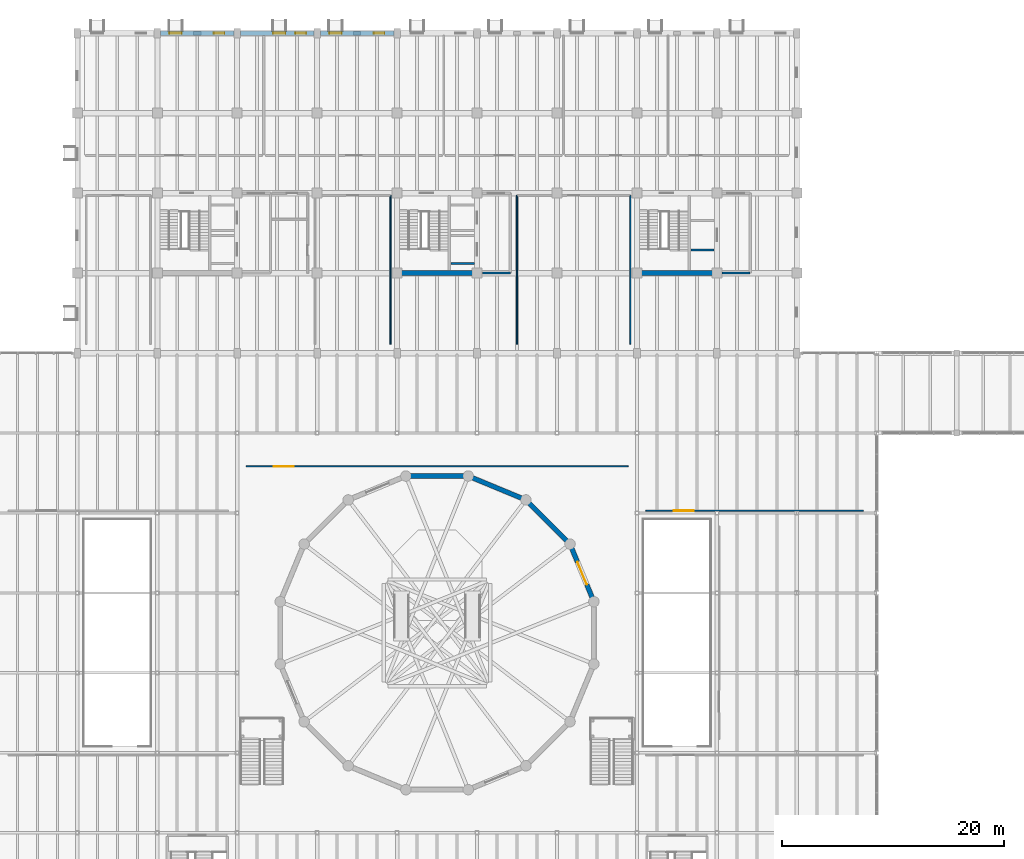
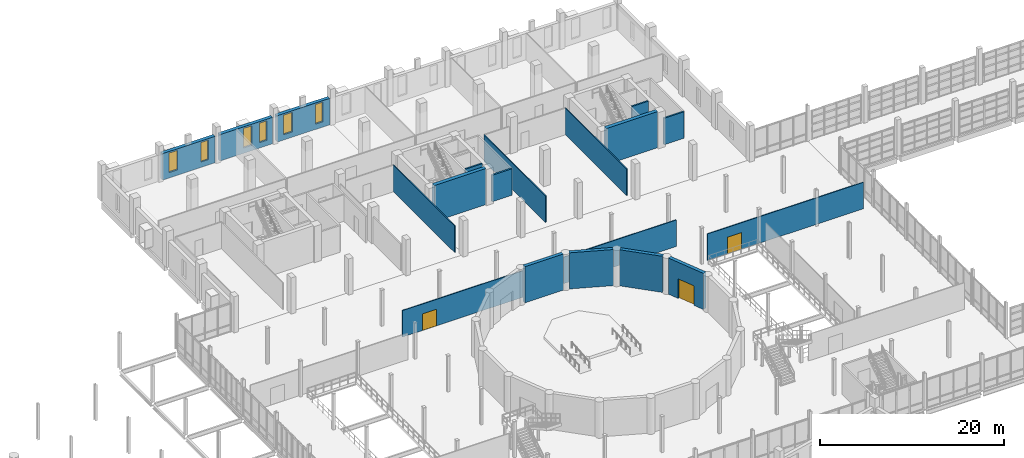
# One storey, part 66 of 77: 18 walls, 6 windows, 3 doors, 9 openings.
"""IFC4 building model written with IfcOpenShell, lengths in metres."""

from ifc_helpers import new_model, si_unit, direction, frame, frame_2d, origin, place, context, subcontext, project, spatial, rectangle, extrude, material, layer, layer_set, type_object, element, fill, save


model = new_model("IFC4")

# Units and contexts
model_context = context("Model", 3, precision=1e-05, world=origin(), true_north=direction((0.0, 1.0)))
body_context = subcontext(model_context, "Body", "Model", "MODEL_VIEW")
ifc_project = project(units=[si_unit("LENGTHUNIT", "METRE"), si_unit("AREAUNIT", "SQUARE_METRE"), si_unit("VOLUMEUNIT", "CUBIC_METRE"), si_unit("PLANEANGLEUNIT", "RADIAN"), si_unit("MASSUNIT", "GRAM", prefix="KILO")], contexts=[model_context])

# Site, building, storey
site_placement = place(None, origin())
site = spatial("IfcSite", under=ifc_project, at=site_placement, CompositionType="ELEMENT")
building_placement = place(site_placement, origin())
building = spatial("IfcBuilding", under=site, at=building_placement, Name="Qiaolan Assembly House", CompositionType="ELEMENT")
storey_placement = place(building_placement, frame((0.0, 0.0, 5.39990234375)))
storey = spatial("IfcBuildingStorey", under=building, at=storey_placement, Name="L01", CompositionType="ELEMENT", Elevation=5.39990234375)

# Walls
ifc_material_1 = material(Name="Concrete C50/60", Category="concrete")
ifc_layer_1 = layer(ifc_material_1, 0.449951171875)
ifc_layer_set_1 = layer_set([ifc_layer_1], Name="Concrete C50/60")
wall_type_1 = type_object("IfcWallType", Name="WAL-CORE-450", PredefinedType="SHEAR", material=ifc_layer_set_1)
for number, where, z_axis, x_axis, name in (
    (1, (65.14990234375, 93.60009765625, 0.0), (0.0, 0.0, 1.0), (1.0, 0.0, 0.0), "CW-450 shear core wall CORE-B S L01"),
    (2, (86.75, 93.60009765625, 0.0), (0.0, 0.0, 1.0), (1.0, 0.0, 0.0), "CW-450 shear core wall CORE-G S L01"),
):
    element("IfcWall", number, at=place(storey_placement, frame(where, z_axis=z_axis, x_axis=x_axis)), inside=storey, type_object=wall_type_1, Name=name, PredefinedType="SHEAR", context=body_context, shape_type="SweptSolid", body=[
        extrude(rectangle(XDim=6.5, YDim=0.449951171875, at=frame_2d((3.25, 0.0))), origin(), (0.0, 0.0, 1.0), 4.800048828125),
    ])

# Wall, opening, door
ifc_layer_2 = layer(ifc_material_1, 0.419921875)
ifc_layer_set_2 = layer_set([ifc_layer_2], Name="Concrete C50/60")
wall_type_2 = type_object("IfcWallType", Name="WAL-DRUM-420", PredefinedType="SHEAR", material=ifc_layer_set_2)
wall_1_placement = place(storey_placement, frame((80.526123046875, 68.83056640625, 0.0), z_axis=(0.0, 0.0, 1.0), x_axis=(0.382693375129, -0.923875414021, 0.0)))
wall_1 = element("IfcWall", 3, at=wall_1_placement, inside=storey, type_object=wall_type_2, Name="DW-420 council chamber drum wall 1 L01", PredefinedType="SHEAR", context=body_context, shape_type="SweptSolid", body=[
    extrude(rectangle(XDim=4.818359375, YDim=0.419921875, at=frame_2d((2.4091796875, 0.0))), origin(), (0.0, 0.0, 1.0), 4.800048828125),
])
opening_1_placement = place(wall_1_placement, frame((1.35009765625, 0.0, 0.0)))
opening_1 = element("IfcOpeningElement", 4, at=opening_1_placement, cuts=wall_1, Name="Opening CD-143", PredefinedType="OPENING", context=body_context, shape_type="SweptSolid", body=[
    extrude(rectangle(XDim=2.199951171875, YDim=2.60009765625, at=frame_2d((1.10009765625, 1.300048828125))), frame((0.0, 0.219970703125, 0.0), z_axis=(0.0, -1.0, 0.0), x_axis=(1.0, 0.0, 0.0)), (0.0, 0.0, 1.0), 0.43994140625),
])
ifc_material_2 = material(Name="Acoustic oak panelling")
door_type_1 = type_object("IfcDoorType", Name="DOR-CHAMBER-2200", OperationType="DOUBLE_DOOR_SINGLE_SWING", PredefinedType="DOOR", material=ifc_material_2)
door_1_placement = place(opening_1_placement, origin())
door_1 = element("IfcDoor", 5, at=door_1_placement, inside=storey, type_object=door_type_1, Name="Council Chamber ceremonial acoustic door CD-143", OperationType="DOUBLE_DOOR_SINGLE_SWING", OverallHeight=2.60009765625, OverallWidth=2.199951171875, PredefinedType="DOOR", context=body_context, shape_type="SweptSolid", body=[
    extrude(rectangle(XDim=2.199951171875, YDim=2.60009765625, at=frame_2d((1.10009765625, 1.300048828125))), frame((0.0, 0.02490234375, 0.0), z_axis=(0.0, -1.0, 0.0), x_axis=(1.0, 0.0, 0.0)), (0.0, 0.0, 1.0), 0.050048828125),
])
fill(opening_1, door_1)

# Walls
for number, where, z_axis, x_axis, name in (
    (6, (76.68310546875, 72.890380859375, 0.0), (0.0, 0.0, 1.0), (0.707106781187, -0.707106781187, 0.0), "DW-420 council chamber drum wall 2 L01"),
    (7, (71.578857421875, 75.170166015625, 0.0), (0.0, 0.0, 1.0), (0.923882834003, -0.382675461762, 0.0), "DW-420 council chamber drum wall 3 L01"),
    (8, (65.99072265625, 75.3232421875, 0.0), (0.0, 0.0, 1.0), (1.0, 0.0, 0.0), "DW-420 council chamber drum wall 4 L01"),
):
    element("IfcWall", number, at=place(storey_placement, frame(where, z_axis=z_axis, x_axis=x_axis)), inside=storey, type_object=wall_type_2, Name=name, PredefinedType="SHEAR", context=body_context, shape_type="SweptSolid", body=[
        extrude(rectangle(XDim=4.818603515625, YDim=0.419921875, at=frame_2d((2.4091796875, 0.0))), origin(), (0.0, 0.0, 1.0), 4.800048828125),
    ])

# Wall, openings, windows
ifc_material_3 = material(Name="Honed pale limestone", Category="masonry")
ifc_layer_3 = layer(ifc_material_3, 0.43505859375)
ifc_layer_set_3 = layer_set([ifc_layer_3], Name="Honed pale limestone")
wall_type_3 = type_object("IfcWallType", Name="WAL-EXT-RUSTIC-420", PredefinedType="SOLIDWALL", material=ifc_layer_set_3)
wall_2_placement = place(storey_placement, frame((50.10205078125, 115.199951171875, 0.0), z_axis=(0.0, 0.0, 1.0), x_axis=(-1.0, 0.0, 0.0)))
wall_2 = element("IfcWall", 9, at=wall_2_placement, inside=storey, type_object=wall_type_3, Name="EW-420 NW North street wall L01 bay 2", PredefinedType="SOLIDWALL", context=body_context, shape_type="SweptSolid", body=[
    extrude(rectangle(XDim=6.60400390625, YDim=0.43505859375, at=frame_2d((3.302001953125, 0.0))), origin(), (0.0, 0.0, 1.0), 3.5),
])
opening_2_placement = place(wall_2_placement, frame((0.85205078125, 0.0, 0.699951171875)))
opening_2 = element("IfcOpeningElement", 10, at=opening_2_placement, cuts=wall_2, Name="Opening WN-018", PredefinedType="OPENING", context=body_context, shape_type="SweptSolid", body=[
    extrude(rectangle(XDim=0.949951171875, YDim=2.60009765625, at=frame_2d((0.47509765625, 1.300048828125))), frame((0.0, 0.2275390625, 0.0), z_axis=(0.0, -1.0, 0.0), x_axis=(1.0, 0.0, 0.0)), (0.0, 0.0, 1.0), 0.455078125),
])
opening_3_placement = place(wall_2_placement, frame((4.701904296875, 0.0, 0.699951171875)))
opening_3 = element("IfcOpeningElement", 11, at=opening_3_placement, cuts=wall_2, Name="Opening WN-019", PredefinedType="OPENING", context=body_context, shape_type="SweptSolid", body=[
    extrude(rectangle(XDim=1.10009765625, YDim=2.60009765625, at=frame_2d((0.550048828125, 1.300048828125))), frame((0.0, 0.2275390625, 0.0), z_axis=(0.0, -1.0, 0.0), x_axis=(1.0, 0.0, 0.0)), (0.0, 0.0, 1.0), 0.455078125),
])
ifc_material_4 = material(Name="Low-E double insulating glass", Category="glass")
window_type_1 = type_object("IfcWindowType", Name="WIN-BOX-1100x2600", PartitioningType="SINGLE_PANEL", PredefinedType="WINDOW", material=ifc_material_4)
window_1_placement = place(opening_3_placement, origin())
window_1 = element("IfcWindow", 12, at=window_1_placement, inside=storey, type_object=window_type_1, Name="WN-T02 window WN-019", OverallHeight=2.60009765625, OverallWidth=1.10009765625, PartitioningType="SINGLE_PANEL", PredefinedType="WINDOW", context=body_context, shape_type="SweptSolid", body=[
    extrude(rectangle(XDim=1.10009765625, YDim=2.60009765625, at=frame_2d((0.550048828125, 1.300048828125))), frame((0.0, 0.030029296875, 0.0), z_axis=(0.0, -1.0, 0.0), x_axis=(1.0, 0.0, 0.0)), (0.0, 0.0, 1.0), 0.06005859375),
])
fill(opening_3, window_1)
window_type_2 = type_object("IfcWindowType", Name="WIN-PUNCH-950x2600", PartitioningType="SINGLE_PANEL", PredefinedType="WINDOW", material=ifc_material_4)
window_2_placement = place(opening_2_placement, origin())
window_2 = element("IfcWindow", 13, at=window_2_placement, inside=storey, type_object=window_type_2, Name="WN-T03 window WN-018", OverallHeight=2.60009765625, OverallWidth=0.949951171875, PartitioningType="SINGLE_PANEL", PredefinedType="WINDOW", context=body_context, shape_type="SweptSolid", body=[
    extrude(rectangle(XDim=0.949951171875, YDim=2.60009765625, at=frame_2d((0.47509765625, 1.300048828125))), frame((0.0, 0.030029296875, 0.0), z_axis=(0.0, -1.0, 0.0), x_axis=(1.0, 0.0, 0.0)), (0.0, 0.0, 1.0), 0.06005859375),
])
fill(opening_2, window_2)

wall_3_placement = place(storey_placement, frame((57.302001953125, 115.199951171875, 0.0), z_axis=(0.0, 0.0, 1.0), x_axis=(-1.0, 0.0, 0.0)))
wall_3 = element("IfcWall", 14, at=wall_3_placement, inside=storey, type_object=wall_type_3, Name="EW-420 NW North street wall L01 bay 3", PredefinedType="SOLIDWALL", context=body_context, shape_type="SweptSolid", body=[
    extrude(rectangle(XDim=6.60400390625, YDim=0.43505859375, at=frame_2d((3.302001953125, 0.0))), origin(), (0.0, 0.0, 1.0), 3.5),
])
opening_4_placement = place(wall_3_placement, frame((0.701904296875, 0.0, 0.699951171875)))
opening_4 = element("IfcOpeningElement", 15, at=opening_4_placement, cuts=wall_3, Name="Opening WN-020", PredefinedType="OPENING", context=body_context, shape_type="SweptSolid", body=[
    extrude(rectangle(XDim=0.949951171875, YDim=2.60009765625, at=frame_2d((0.47509765625, 1.300048828125))), frame((0.0, 0.2275390625, 0.0), z_axis=(0.0, -1.0, 0.0), x_axis=(1.0, 0.0, 0.0)), (0.0, 0.0, 1.0), 0.455078125),
])
opening_5_placement = place(wall_3_placement, frame((2.569091796875, 0.0, 0.699951171875)))
opening_5 = element("IfcOpeningElement", 16, at=opening_5_placement, cuts=wall_3, Name="Opening WN-021", PredefinedType="OPENING", context=body_context, shape_type="SweptSolid", body=[
    extrude(rectangle(XDim=1.10009765625, YDim=2.60009765625, at=frame_2d((0.550048828125, 1.300048828125))), frame((0.0, 0.2275390625, 0.0), z_axis=(0.0, -1.0, 0.0), x_axis=(1.0, 0.0, 0.0)), (0.0, 0.0, 1.0), 0.455078125),
])
window_3_placement = place(opening_5_placement, origin())
window_3 = element("IfcWindow", 17, at=window_3_placement, inside=storey, type_object=window_type_1, Name="WN-T02 window WN-021", OverallHeight=2.60009765625, OverallWidth=1.10009765625, PartitioningType="SINGLE_PANEL", PredefinedType="WINDOW", context=body_context, shape_type="SweptSolid", body=[
    extrude(rectangle(XDim=1.10009765625, YDim=2.60009765625, at=frame_2d((0.550048828125, 1.300048828125))), frame((0.0, 0.030029296875, 0.0), z_axis=(0.0, -1.0, 0.0), x_axis=(1.0, 0.0, 0.0)), (0.0, 0.0, 1.0), 0.06005859375),
])
fill(opening_5, window_3)
window_4_placement = place(opening_4_placement, origin())
window_4 = element("IfcWindow", 18, at=window_4_placement, inside=storey, type_object=window_type_2, Name="WN-T03 window WN-020", OverallHeight=2.60009765625, OverallWidth=0.949951171875, PartitioningType="SINGLE_PANEL", PredefinedType="WINDOW", context=body_context, shape_type="SweptSolid", body=[
    extrude(rectangle(XDim=0.949951171875, YDim=2.60009765625, at=frame_2d((0.47509765625, 1.300048828125))), frame((0.0, 0.030029296875, 0.0), z_axis=(0.0, -1.0, 0.0), x_axis=(1.0, 0.0, 0.0)), (0.0, 0.0, 1.0), 0.06005859375),
])
fill(opening_4, window_4)

wall_4_placement = place(storey_placement, frame((64.501953125, 115.199951171875, 0.0), z_axis=(0.0, 0.0, 1.0), x_axis=(-1.0, 0.0, 0.0)))
wall_4 = element("IfcWall", 19, at=wall_4_placement, inside=storey, type_object=wall_type_3, Name="EW-420 NW North street wall L01 bay 4", PredefinedType="SOLIDWALL", context=body_context, shape_type="SweptSolid", body=[
    extrude(rectangle(XDim=6.60400390625, YDim=0.43505859375, at=frame_2d((3.302001953125, 0.0))), origin(), (0.0, 0.0, 1.0), 3.5),
])
opening_6_placement = place(wall_4_placement, frame((0.85205078125, 0.0, 0.699951171875)))
opening_6 = element("IfcOpeningElement", 20, at=opening_6_placement, cuts=wall_4, Name="Opening WN-022", PredefinedType="OPENING", context=body_context, shape_type="SweptSolid", body=[
    extrude(rectangle(XDim=0.949951171875, YDim=2.60009765625, at=frame_2d((0.47509765625, 1.300048828125))), frame((0.0, 0.2275390625, 0.0), z_axis=(0.0, -1.0, 0.0), x_axis=(1.0, 0.0, 0.0)), (0.0, 0.0, 1.0), 0.455078125),
])
opening_7_placement = place(wall_4_placement, frame((4.701904296875, 0.0, 0.699951171875)))
opening_7 = element("IfcOpeningElement", 21, at=opening_7_placement, cuts=wall_4, Name="Opening WN-023", PredefinedType="OPENING", context=body_context, shape_type="SweptSolid", body=[
    extrude(rectangle(XDim=1.10009765625, YDim=2.60009765625, at=frame_2d((0.550048828125, 1.300048828125))), frame((0.0, 0.2275390625, 0.0), z_axis=(0.0, -1.0, 0.0), x_axis=(1.0, 0.0, 0.0)), (0.0, 0.0, 1.0), 0.455078125),
])
window_5_placement = place(opening_7_placement, origin())
window_5 = element("IfcWindow", 22, at=window_5_placement, inside=storey, type_object=window_type_1, Name="WN-T02 window WN-023", OverallHeight=2.60009765625, OverallWidth=1.10009765625, PartitioningType="SINGLE_PANEL", PredefinedType="WINDOW", context=body_context, shape_type="SweptSolid", body=[
    extrude(rectangle(XDim=1.10009765625, YDim=2.60009765625, at=frame_2d((0.550048828125, 1.300048828125))), frame((0.0, 0.030029296875, 0.0), z_axis=(0.0, -1.0, 0.0), x_axis=(1.0, 0.0, 0.0)), (0.0, 0.0, 1.0), 0.06005859375),
])
fill(opening_7, window_5)
window_6_placement = place(opening_6_placement, origin())
window_6 = element("IfcWindow", 23, at=window_6_placement, inside=storey, type_object=window_type_2, Name="WN-T03 window WN-022", OverallHeight=2.60009765625, OverallWidth=0.949951171875, PartitioningType="SINGLE_PANEL", PredefinedType="WINDOW", context=body_context, shape_type="SweptSolid", body=[
    extrude(rectangle(XDim=0.949951171875, YDim=2.60009765625, at=frame_2d((0.47509765625, 1.300048828125))), frame((0.0, 0.030029296875, 0.0), z_axis=(0.0, -1.0, 0.0), x_axis=(1.0, 0.0, 0.0)), (0.0, 0.0, 1.0), 0.06005859375),
])
fill(opening_6, window_6)

# Walls
ifc_material_5 = material(Name="Concrete C35/45", Category="concrete")
ifc_layer_4 = layer(ifc_material_5, 0.199951171875)
ifc_layer_set_4 = layer_set([ifc_layer_4], Name="Concrete C35/45")
wall_type_4 = type_object("IfcWallType", Name="WAL-LOBBY-200", PredefinedType="PARTITIONING", material=ifc_layer_set_4)
for number, where, z_axis, x_axis, name in (
    (24, (72.47998046875, 93.60009765625, 0.0), (0.0, 0.0, 1.0), (1.0, 0.0, 0.0), "Firefighting lift lobby south wall CORE-B L01"),
    (25, (94.080078125, 93.60009765625, 0.0), (0.0, 0.0, 1.0), (1.0, 0.0, 0.0), "Firefighting lift lobby south wall CORE-G L01"),
):
    element("IfcWall", number, at=place(storey_placement, frame(where, z_axis=z_axis, x_axis=x_axis)), inside=storey, type_object=wall_type_4, Name=name, PredefinedType="PARTITIONING", context=body_context, shape_type="SweptSolid", body=[
        extrude(rectangle(XDim=2.52001953125, YDim=0.199951171875, at=frame_2d((1.260009765625, 0.0))), origin(), (0.0, 0.0, 1.0), 3.52001953125),
    ])
ifc_material_6 = material(Name="Gypsum plasterboard partition")
ifc_layer_5 = layer(ifc_material_6, 0.1201171875)
ifc_layer_set_5 = layer_set([ifc_layer_5], Name="Gypsum plasterboard partition")
wall_type_5 = type_object("IfcWallType", Name="WAL-PART-120", PredefinedType="PARTITIONING", material=ifc_layer_set_5)
for number, where, z_axis, x_axis, name in (
    (26, (64.199951171875, 100.60009765625, 0.0), (0.0, 0.0, 1.0), (0.0, -1.0, 0.0), "Sub-Committee Caucus Room A east wall"),
    (27, (75.60009765625, 87.199951171875, 0.0), (0.0, 0.0, 1.0), (0.0, 1.0, 0.0), "Witness & Press Interview Room west wall"),
    (28, (85.800048828125, 100.60009765625, 0.0), (0.0, 0.0, 1.0), (0.0, -1.0, 0.0), "Witness & Press Interview Room east wall"),
):
    element("IfcWall", number, at=place(storey_placement, frame(where, z_axis=z_axis, x_axis=x_axis)), inside=storey, type_object=wall_type_5, Name=name, PredefinedType="PARTITIONING", context=body_context, shape_type="SweptSolid", body=[
        extrude(rectangle(XDim=13.400146484375, YDim=0.1201171875, at=frame_2d((6.7001953125, 0.0))), origin(), (0.0, 0.0, 1.0), 3.52001953125),
    ])

# Wall, opening, door
ifc_layer_6 = layer(ifc_material_4, 0.10498046875)
ifc_layer_set_6 = layer_set([ifc_layer_6], Name="Low-E double insulating glass")
wall_type_6 = type_object("IfcWallType", Name="WAL-PART-GLAZED-120", PredefinedType="PARTITIONING", material=ifc_layer_set_6)
wall_5_placement = place(storey_placement, frame((51.199951171875, 76.199951171875, 0.0), z_axis=(0.0, 0.0, 1.0), x_axis=(1.0, 0.0, 0.0)))
wall_5 = element("IfcWall", 29, at=wall_5_placement, inside=storey, type_object=wall_type_6, Name="Council Members North Caucus & Reading Salon glazed partition", PredefinedType="PARTITIONING", context=body_context, shape_type="SweptSolid", body=[
    extrude(rectangle(XDim=34.400146484375, YDim=0.10498046875, at=frame_2d((17.2001953125, 0.0))), origin(), (0.0, 0.0, 1.0), 3.52001953125),
])
opening_8_placement = place(wall_5_placement, frame((2.5, 0.0, 0.0)))
opening_8 = element("IfcOpeningElement", 30, at=opening_8_placement, cuts=wall_5, Name="Opening GD-160", PredefinedType="OPENING", context=body_context, shape_type="SweptSolid", body=[
    extrude(rectangle(XDim=1.800048828125, YDim=2.199951171875, at=frame_2d((0.89990234375, 1.10009765625))), frame((0.0, 0.0625, 0.0), z_axis=(0.0, -1.0, 0.0), x_axis=(1.0, 0.0, 0.0)), (0.0, 0.0, 1.0), 0.125),
])
ifc_material_7 = material(Name="Anodised bronze aluminium", Category="aluminium")
door_type_2 = type_object("IfcDoorType", Name="DOR-CORR-DBL-1800", OperationType="DOUBLE_DOOR_SINGLE_SWING", PredefinedType="DOOR", material=ifc_material_7)
door_2_placement = place(opening_8_placement, origin())
door_2 = element("IfcDoor", 31, at=door_2_placement, inside=storey, type_object=door_type_2, Name="Council Members North Caucus & Reading Salon door GD-160", OperationType="DOUBLE_DOOR_SINGLE_SWING", OverallHeight=2.199951171875, OverallWidth=1.800048828125, PredefinedType="DOOR", context=body_context, shape_type="SweptSolid", body=[
    extrude(rectangle(XDim=1.800048828125, YDim=2.199951171875, at=frame_2d((0.89990234375, 1.10009765625))), frame((0.0, 0.02490234375, 0.0), z_axis=(0.0, -1.0, 0.0), x_axis=(1.0, 0.0, 0.0)), (0.0, 0.0, 1.0), 0.050048828125),
])
fill(opening_8, door_2)

wall_6_placement = place(storey_placement, frame((87.199951171875, 72.199951171875, 0.0), z_axis=(0.0, 0.0, 1.0), x_axis=(1.0, 0.0, 0.0)))
wall_6 = element("IfcWall", 32, at=wall_6_placement, inside=storey, type_object=wall_type_6, Name="Civic Ceremonial Protocol Salon glazed partition", PredefinedType="PARTITIONING", context=body_context, shape_type="SweptSolid", body=[
    extrude(rectangle(XDim=19.60009765625, YDim=0.10498046875, at=frame_2d((9.800048828125, 0.0))), origin(), (0.0, 0.0, 1.0), 3.52001953125),
])
opening_9_placement = place(wall_6_placement, frame((2.5, 0.0, 0.0)))
opening_9 = element("IfcOpeningElement", 33, at=opening_9_placement, cuts=wall_6, Name="Opening GD-164", PredefinedType="OPENING", context=body_context, shape_type="SweptSolid", body=[
    extrude(rectangle(XDim=1.800048828125, YDim=2.199951171875, at=frame_2d((0.89990234375, 1.10009765625))), frame((0.0, 0.0625, 0.0), z_axis=(0.0, -1.0, 0.0), x_axis=(1.0, 0.0, 0.0)), (0.0, 0.0, 1.0), 0.125),
])
door_3_placement = place(opening_9_placement, origin())
door_3 = element("IfcDoor", 34, at=door_3_placement, inside=storey, type_object=door_type_2, Name="Civic Ceremonial Protocol Salon door GD-164", OperationType="DOUBLE_DOOR_SINGLE_SWING", OverallHeight=2.199951171875, OverallWidth=1.800048828125, PredefinedType="DOOR", context=body_context, shape_type="SweptSolid", body=[
    extrude(rectangle(XDim=1.800048828125, YDim=2.199951171875, at=frame_2d((0.89990234375, 1.10009765625))), frame((0.0, 0.02490234375, 0.0), z_axis=(0.0, -1.0, 0.0), x_axis=(1.0, 0.0, 0.0)), (0.0, 0.0, 1.0), 0.050048828125),
])
fill(opening_9, door_3)

# Walls
ifc_layer_7 = layer(ifc_material_5, 0.18505859375)
ifc_layer_set_7 = layer_set([ifc_layer_7], Name="Concrete C35/45")
wall_type_7 = type_object("IfcWallType", Name="WAL-SHAFT-200", PredefinedType="PARTITIONING", material=ifc_layer_set_7)
for number, where, z_axis, x_axis, name in (
    (35, (69.64990234375, 94.449951171875, 0.0), (0.0, 0.0, 1.0), (1.0, 0.0, 0.0), "SW-200 lift shaft wall LF-03 L01 DIVS"),
    (36, (91.25, 95.699951171875, 0.0), (0.0, 0.0, 1.0), (1.0, 0.0, 0.0), "SW-200 lift shaft wall LF-05 L01 DIVS"),
):
    element("IfcWall", number, at=place(storey_placement, frame(where, z_axis=z_axis, x_axis=x_axis)), inside=storey, type_object=wall_type_7, Name=name, PredefinedType="PARTITIONING", context=body_context, shape_type="SweptSolid", body=[
        extrude(rectangle(XDim=2.10009765625, YDim=0.18505859375, at=frame_2d((1.050048828125, 0.0))), origin(), (0.0, 0.0, 1.0), 4.800048828125),
    ])

save(model, "model.ifc")
